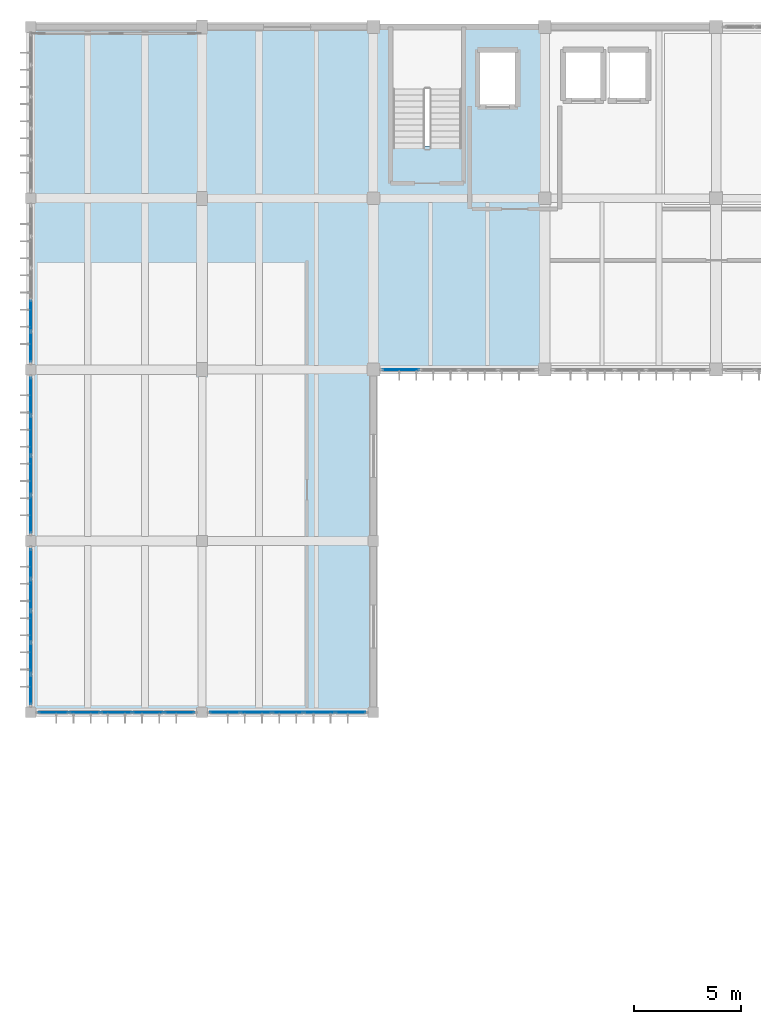
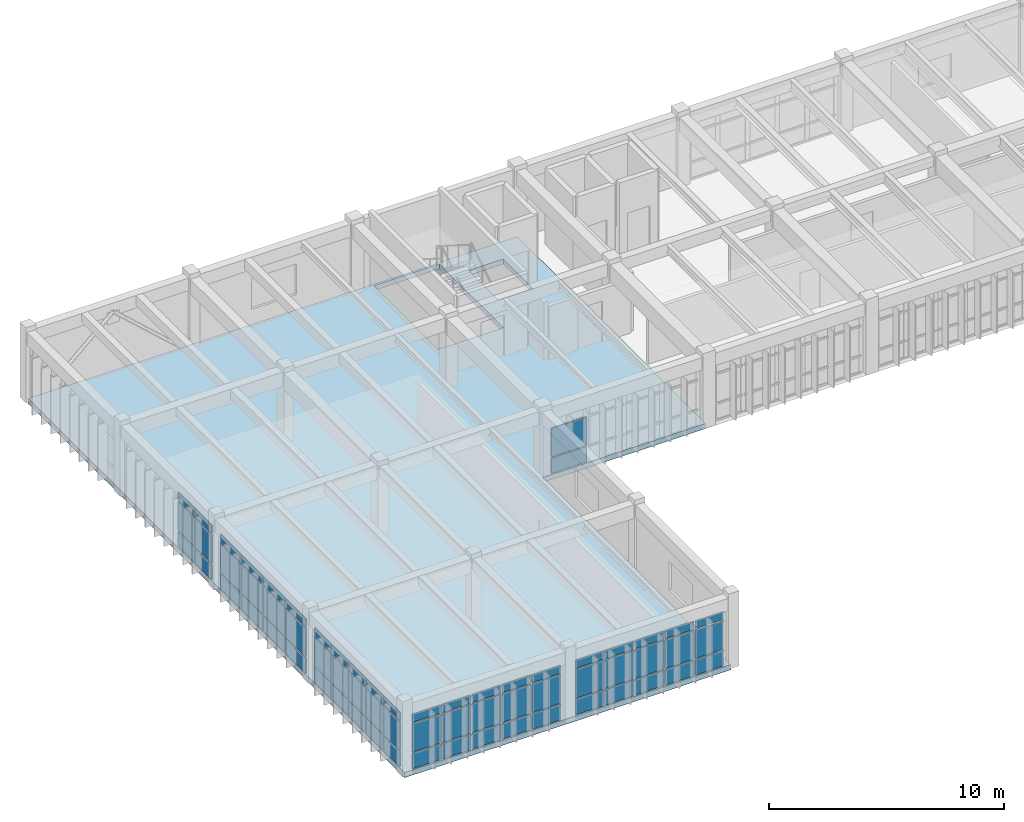
# One storey, part 11 of 22: 65 plates, 1 slab, 6 elements without a shape of their own.
"""IFC4 building model written with IfcOpenShell, lengths in metres."""

from ifc_helpers import new_model, si_unit, direction, frame, origin, origin_2d, place, context, subcontext, project, spatial, polyline, rectangle, outline, extrude, material, layer, layer_set, type_object, element, aggregate, save


model = new_model("IFC4")

# Units and contexts
model_context = context("Model", 3, precision=1e-05, world=origin(), true_north=direction((0.0, 1.0)))
body_context = subcontext(model_context, "Body", "Model", "MODEL_VIEW")
ifc_project = project(units=[si_unit("LENGTHUNIT", "METRE"), si_unit("AREAUNIT", "SQUARE_METRE"), si_unit("VOLUMEUNIT", "CUBIC_METRE"), si_unit("PLANEANGLEUNIT", "RADIAN"), si_unit("MASSUNIT", "GRAM", prefix="KILO")], contexts=[model_context])

# Site, building, storey
site_placement = place(None, origin())
site = spatial("IfcSite", under=ifc_project, at=site_placement, CompositionType="ELEMENT")
building_placement = place(site_placement, origin())
building = spatial("IfcBuilding", under=site, at=building_placement, Name="Tlaxcora Railside Police Headquarters", CompositionType="ELEMENT")
storey_placement = place(building_placement, frame((0.0, 0.0, 21.89990234375)))
storey = spatial("IfcBuildingStorey", under=building, at=storey_placement, Name="L05", CompositionType="ELEMENT", Elevation=21.89990234375)

# Curtain wall, plates
ifc_material_1 = material(Name="Thermally broken low-E insulated glazing", Category="glass")
curtain_wall_type_1 = type_object("IfcCurtainWallType", Name="Unitised Curtain Wall Assembly CW-23", PredefinedType="NOTDEFINED", material=ifc_material_1)
curtain_wall_1_placement = place(storey_placement, origin())
curtain_wall_1 = element("IfcCurtainWall", 1, at=curtain_wall_1_placement, inside=storey, type_object=curtain_wall_type_1, Name="V5 L05 curtain wall 120", PredefinedType="NOTDEFINED")
ifc_layer_1 = layer(ifc_material_1, 0.0400390625, Name="Thermally broken low-E insulated glazing")
ifc_layer_set_1 = layer_set([ifc_layer_1], Name="Thermally broken low-E insulated glazing")
plate_type_1 = type_object("IfcPlateType", Name="Curtain Wall Infill Panel CW-17", PredefinedType="CURTAIN_PANEL", material=ifc_layer_set_1)
plate_1_placement = place(storey_placement, frame((5.199951171875, 67.739990234375, 0.080078125), z_axis=(0.0, 0.0, 1.0), x_axis=(0.0, -1.0, 0.0)))
plate_1 = element("IfcPlate", 2, at=plate_1_placement, type_object=plate_type_1, Name="CW panel 1.1", PredefinedType="CURTAIN_PANEL", context=body_context, shape_type="SweptSolid", body=[
    extrude(rectangle(XDim=1.360107421875, YDim=0.0400390625, at=origin_2d()), origin(), (0.0, 0.0, 1.0), 0.780029296875),
])
plate_2_placement = place(storey_placement, frame((5.199951171875, 67.739990234375, 0.93994140625), z_axis=(0.0, 0.0, 1.0), x_axis=(0.0, -1.0, 0.0)))
plate_2 = element("IfcPlate", 3, at=plate_2_placement, type_object=plate_type_1, Name="CW panel 1.2", PredefinedType="CURTAIN_PANEL", context=body_context, shape_type="SweptSolid", body=[
    extrude(rectangle(XDim=1.360107421875, YDim=0.0400390625, at=origin_2d()), origin(), (0.0, 0.0, 1.0), 1.469970703125),
])
plate_3_placement = place(storey_placement, frame((5.199951171875, 67.739990234375, 2.490234375), z_axis=(0.0, 0.0, 1.0), x_axis=(0.0, -1.0, 0.0)))
plate_3 = element("IfcPlate", 4, at=plate_3_placement, type_object=plate_type_1, Name="CW panel 1.3", PredefinedType="CURTAIN_PANEL", context=body_context, shape_type="SweptSolid", body=[
    extrude(rectangle(XDim=1.360107421875, YDim=0.0400390625, at=origin_2d()), origin(), (0.0, 0.0, 1.0), 0.409912109375),
])
plate_4_placement = place(storey_placement, frame((5.199951171875, 66.280029296875, 0.080078125), z_axis=(0.0, 0.0, 1.0), x_axis=(0.0, -1.0, 0.0)))
plate_4 = element("IfcPlate", 5, at=plate_4_placement, type_object=plate_type_1, Name="CW panel 2.1", PredefinedType="CURTAIN_PANEL", context=body_context, shape_type="SweptSolid", body=[
    extrude(rectangle(XDim=1.39990234375, YDim=0.0400390625, at=origin_2d()), origin(), (0.0, 0.0, 1.0), 0.780029296875),
])
plate_5_placement = place(storey_placement, frame((5.199951171875, 66.280029296875, 0.93994140625), z_axis=(0.0, 0.0, 1.0), x_axis=(0.0, -1.0, 0.0)))
plate_5 = element("IfcPlate", 6, at=plate_5_placement, type_object=plate_type_1, Name="CW panel 2.2", PredefinedType="CURTAIN_PANEL", context=body_context, shape_type="SweptSolid", body=[
    extrude(rectangle(XDim=1.39990234375, YDim=0.0400390625, at=origin_2d()), origin(), (0.0, 0.0, 1.0), 1.469970703125),
])
plate_6_placement = place(storey_placement, frame((5.199951171875, 66.280029296875, 2.490234375), z_axis=(0.0, 0.0, 1.0), x_axis=(0.0, -1.0, 0.0)))
plate_6 = element("IfcPlate", 7, at=plate_6_placement, type_object=plate_type_1, Name="CW panel 2.3", PredefinedType="CURTAIN_PANEL", context=body_context, shape_type="SweptSolid", body=[
    extrude(rectangle(XDim=1.39990234375, YDim=0.0400390625, at=origin_2d()), origin(), (0.0, 0.0, 1.0), 0.409912109375),
])
plate_7_placement = place(storey_placement, frame((5.199951171875, 64.800048828125, 0.080078125), z_axis=(0.0, 0.0, 1.0), x_axis=(0.0, -1.0, 0.0)))
plate_7 = element("IfcPlate", 8, at=plate_7_placement, type_object=plate_type_1, Name="CW panel 3.1", PredefinedType="CURTAIN_PANEL", context=body_context, shape_type="SweptSolid", body=[
    extrude(rectangle(XDim=1.39990234375, YDim=0.0400390625, at=origin_2d()), origin(), (0.0, 0.0, 1.0), 0.780029296875),
])
plate_8_placement = place(storey_placement, frame((5.199951171875, 64.800048828125, 0.93994140625), z_axis=(0.0, 0.0, 1.0), x_axis=(0.0, -1.0, 0.0)))
plate_8 = element("IfcPlate", 9, at=plate_8_placement, type_object=plate_type_1, Name="CW panel 3.2", PredefinedType="CURTAIN_PANEL", context=body_context, shape_type="SweptSolid", body=[
    extrude(rectangle(XDim=1.39990234375, YDim=0.0400390625, at=origin_2d()), origin(), (0.0, 0.0, 1.0), 1.469970703125),
])
plate_9_placement = place(storey_placement, frame((5.199951171875, 64.800048828125, 2.490234375), z_axis=(0.0, 0.0, 1.0), x_axis=(0.0, -1.0, 0.0)))
plate_9 = element("IfcPlate", 10, at=plate_9_placement, type_object=plate_type_1, Name="CW panel 3.3", PredefinedType="CURTAIN_PANEL", context=body_context, shape_type="SweptSolid", body=[
    extrude(rectangle(XDim=1.39990234375, YDim=0.0400390625, at=origin_2d()), origin(), (0.0, 0.0, 1.0), 0.409912109375),
])
plate_10_placement = place(storey_placement, frame((5.199951171875, 63.320068359375, 0.080078125), z_axis=(0.0, 0.0, 1.0), x_axis=(0.0, -1.0, 0.0)))
plate_10 = element("IfcPlate", 11, at=plate_10_placement, type_object=plate_type_1, Name="CW panel 4.1", PredefinedType="CURTAIN_PANEL", context=body_context, shape_type="SweptSolid", body=[
    extrude(rectangle(XDim=1.39990234375, YDim=0.0400390625, at=origin_2d()), origin(), (0.0, 0.0, 1.0), 0.780029296875),
])
plate_11_placement = place(storey_placement, frame((5.199951171875, 63.320068359375, 0.93994140625), z_axis=(0.0, 0.0, 1.0), x_axis=(0.0, -1.0, 0.0)))
plate_11 = element("IfcPlate", 12, at=plate_11_placement, type_object=plate_type_1, Name="CW panel 4.2", PredefinedType="CURTAIN_PANEL", context=body_context, shape_type="SweptSolid", body=[
    extrude(rectangle(XDim=1.39990234375, YDim=0.0400390625, at=origin_2d()), origin(), (0.0, 0.0, 1.0), 1.469970703125),
])
plate_12_placement = place(storey_placement, frame((5.199951171875, 63.320068359375, 2.490234375), z_axis=(0.0, 0.0, 1.0), x_axis=(0.0, -1.0, 0.0)))
plate_12 = element("IfcPlate", 13, at=plate_12_placement, type_object=plate_type_1, Name="CW panel 4.3", PredefinedType="CURTAIN_PANEL", context=body_context, shape_type="SweptSolid", body=[
    extrude(rectangle(XDim=1.39990234375, YDim=0.0400390625, at=origin_2d()), origin(), (0.0, 0.0, 1.0), 0.409912109375),
])
plate_13_placement = place(storey_placement, frame((5.199951171875, 61.860107421875, 0.080078125), z_axis=(0.0, 0.0, 1.0), x_axis=(0.0, -1.0, 0.0)))
plate_13 = element("IfcPlate", 14, at=plate_13_placement, type_object=plate_type_1, Name="CW panel 5.1", PredefinedType="CURTAIN_PANEL", context=body_context, shape_type="SweptSolid", body=[
    extrude(rectangle(XDim=1.360107421875, YDim=0.0400390625, at=origin_2d()), origin(), (0.0, 0.0, 1.0), 0.780029296875),
])
plate_14_placement = place(storey_placement, frame((5.199951171875, 61.860107421875, 0.93994140625), z_axis=(0.0, 0.0, 1.0), x_axis=(0.0, -1.0, 0.0)))
plate_14 = element("IfcPlate", 15, at=plate_14_placement, type_object=plate_type_1, Name="CW panel 5.2", PredefinedType="CURTAIN_PANEL", context=body_context, shape_type="SweptSolid", body=[
    extrude(rectangle(XDim=1.360107421875, YDim=0.0400390625, at=origin_2d()), origin(), (0.0, 0.0, 1.0), 1.469970703125),
])
plate_15_placement = place(storey_placement, frame((5.199951171875, 61.860107421875, 2.490234375), z_axis=(0.0, 0.0, 1.0), x_axis=(0.0, -1.0, 0.0)))
plate_15 = element("IfcPlate", 16, at=plate_15_placement, type_object=plate_type_1, Name="CW panel 5.3", PredefinedType="CURTAIN_PANEL", context=body_context, shape_type="SweptSolid", body=[
    extrude(rectangle(XDim=1.360107421875, YDim=0.0400390625, at=origin_2d()), origin(), (0.0, 0.0, 1.0), 0.409912109375),
])
aggregate(curtain_wall_1, [plate_1, plate_2, plate_3, plate_4, plate_5, plate_6, plate_7, plate_8, plate_9, plate_10, plate_11, plate_12, plate_13, plate_14, plate_15])

curtain_wall_type_2 = type_object("IfcCurtainWallType", Name="Unitised Curtain Wall Assembly CW-15", PredefinedType="NOTDEFINED", material=ifc_material_1)
curtain_wall_2_placement = place(storey_placement, origin())
curtain_wall_2 = element("IfcCurtainWall", 17, at=curtain_wall_2_placement, inside=storey, type_object=curtain_wall_type_2, Name="V5 L05 curtain wall 106", PredefinedType="NOTDEFINED")
ifc_layer_2 = layer(ifc_material_1, 0.031982421875, Name="Thermally broken low-E insulated glazing")
ifc_layer_set_2 = layer_set([ifc_layer_2], Name="Thermally broken low-E insulated glazing")
plate_type_2 = type_object("IfcPlateType", Name="Curtain Wall Infill Panel CW-41", PredefinedType="CURTAIN_PANEL", material=ifc_layer_set_2)
plate_16_placement = place(storey_placement, frame((14.2587890625, 60.800048828125, 0.074951171875), z_axis=(0.0, 0.0, 1.0), x_axis=(1.0, 0.0, 0.0)))
plate_16 = element("IfcPlate", 18, at=plate_16_placement, type_object=plate_type_2, Name="CW panel 1.1", PredefinedType="CURTAIN_PANEL", context=body_context, shape_type="SweptSolid", body=[
    extrude(rectangle(XDim=1.367431640625, YDim=0.031982421875, at=origin_2d()), origin(), (0.0, 0.0, 1.0), 0.78759765625),
])
plate_17_placement = place(storey_placement, frame((14.2587890625, 60.800048828125, 0.9375), z_axis=(0.0, 0.0, 1.0), x_axis=(1.0, 0.0, 0.0)))
plate_17 = element("IfcPlate", 19, at=plate_17_placement, type_object=plate_type_2, Name="CW panel 1.2", PredefinedType="CURTAIN_PANEL", context=body_context, shape_type="SweptSolid", body=[
    extrude(rectangle(XDim=1.367431640625, YDim=0.031982421875, at=origin_2d()), origin(), (0.0, 0.0, 1.0), 1.47509765625),
])
plate_18_placement = place(storey_placement, frame((14.2587890625, 60.800048828125, 2.487548828125), z_axis=(0.0, 0.0, 1.0), x_axis=(1.0, 0.0, 0.0)))
plate_18 = element("IfcPlate", 20, at=plate_18_placement, type_object=plate_type_2, Name="CW panel 1.3", PredefinedType="CURTAIN_PANEL", context=body_context, shape_type="SweptSolid", body=[
    extrude(rectangle(XDim=1.367431640625, YDim=0.031982421875, at=origin_2d()), origin(), (0.0, 0.0, 1.0), 0.41748046875),
])
plate_19_placement = place(storey_placement, frame((15.719970703125, 60.800048828125, 0.074951171875), z_axis=(0.0, 0.0, 1.0), x_axis=(1.0, 0.0, 0.0)))
plate_19 = element("IfcPlate", 21, at=plate_19_placement, type_object=plate_type_2, Name="CW panel 2.1", PredefinedType="CURTAIN_PANEL", context=body_context, shape_type="SweptSolid", body=[
    extrude(rectangle(XDim=1.405029296875, YDim=0.031982421875, at=origin_2d()), origin(), (0.0, 0.0, 1.0), 0.78759765625),
])
plate_20_placement = place(storey_placement, frame((15.719970703125, 60.800048828125, 0.9375), z_axis=(0.0, 0.0, 1.0), x_axis=(1.0, 0.0, 0.0)))
plate_20 = element("IfcPlate", 22, at=plate_20_placement, type_object=plate_type_2, Name="CW panel 2.2", PredefinedType="CURTAIN_PANEL", context=body_context, shape_type="SweptSolid", body=[
    extrude(rectangle(XDim=1.405029296875, YDim=0.031982421875, at=origin_2d()), origin(), (0.0, 0.0, 1.0), 1.47509765625),
])
plate_21_placement = place(storey_placement, frame((15.719970703125, 60.800048828125, 2.487548828125), z_axis=(0.0, 0.0, 1.0), x_axis=(1.0, 0.0, 0.0)))
plate_21 = element("IfcPlate", 23, at=plate_21_placement, type_object=plate_type_2, Name="CW panel 2.3", PredefinedType="CURTAIN_PANEL", context=body_context, shape_type="SweptSolid", body=[
    extrude(rectangle(XDim=1.405029296875, YDim=0.031982421875, at=origin_2d()), origin(), (0.0, 0.0, 1.0), 0.41748046875),
])
plate_22_placement = place(storey_placement, frame((17.199951171875, 60.800048828125, 0.074951171875), z_axis=(0.0, 0.0, 1.0), x_axis=(1.0, 0.0, 0.0)))
plate_22 = element("IfcPlate", 24, at=plate_22_placement, type_object=plate_type_2, Name="CW panel 3.1", PredefinedType="CURTAIN_PANEL", context=body_context, shape_type="SweptSolid", body=[
    extrude(rectangle(XDim=1.405029296875, YDim=0.031982421875, at=origin_2d()), origin(), (0.0, 0.0, 1.0), 0.78759765625),
])
plate_23_placement = place(storey_placement, frame((17.199951171875, 60.800048828125, 0.9375), z_axis=(0.0, 0.0, 1.0), x_axis=(1.0, 0.0, 0.0)))
plate_23 = element("IfcPlate", 25, at=plate_23_placement, type_object=plate_type_2, Name="CW panel 3.2", PredefinedType="CURTAIN_PANEL", context=body_context, shape_type="SweptSolid", body=[
    extrude(rectangle(XDim=1.405029296875, YDim=0.031982421875, at=origin_2d()), origin(), (0.0, 0.0, 1.0), 1.47509765625),
])
plate_24_placement = place(storey_placement, frame((17.199951171875, 60.800048828125, 2.487548828125), z_axis=(0.0, 0.0, 1.0), x_axis=(1.0, 0.0, 0.0)))
plate_24 = element("IfcPlate", 26, at=plate_24_placement, type_object=plate_type_2, Name="CW panel 3.3", PredefinedType="CURTAIN_PANEL", context=body_context, shape_type="SweptSolid", body=[
    extrude(rectangle(XDim=1.405029296875, YDim=0.031982421875, at=origin_2d()), origin(), (0.0, 0.0, 1.0), 0.41748046875),
])
plate_25_placement = place(storey_placement, frame((18.679931640625, 60.800048828125, 0.074951171875), z_axis=(0.0, 0.0, 1.0), x_axis=(1.0, 0.0, 0.0)))
plate_25 = element("IfcPlate", 27, at=plate_25_placement, type_object=plate_type_2, Name="CW panel 4.1", PredefinedType="CURTAIN_PANEL", context=body_context, shape_type="SweptSolid", body=[
    extrude(rectangle(XDim=1.405029296875, YDim=0.031982421875, at=origin_2d()), origin(), (0.0, 0.0, 1.0), 0.78759765625),
])
plate_26_placement = place(storey_placement, frame((18.679931640625, 60.800048828125, 0.9375), z_axis=(0.0, 0.0, 1.0), x_axis=(1.0, 0.0, 0.0)))
plate_26 = element("IfcPlate", 28, at=plate_26_placement, type_object=plate_type_2, Name="CW panel 4.2", PredefinedType="CURTAIN_PANEL", context=body_context, shape_type="SweptSolid", body=[
    extrude(rectangle(XDim=1.405029296875, YDim=0.031982421875, at=origin_2d()), origin(), (0.0, 0.0, 1.0), 1.47509765625),
])
plate_27_placement = place(storey_placement, frame((18.679931640625, 60.800048828125, 2.487548828125), z_axis=(0.0, 0.0, 1.0), x_axis=(1.0, 0.0, 0.0)))
plate_27 = element("IfcPlate", 29, at=plate_27_placement, type_object=plate_type_2, Name="CW panel 4.3", PredefinedType="CURTAIN_PANEL", context=body_context, shape_type="SweptSolid", body=[
    extrude(rectangle(XDim=1.405029296875, YDim=0.031982421875, at=origin_2d()), origin(), (0.0, 0.0, 1.0), 0.41748046875),
])
plate_28_placement = place(storey_placement, frame((20.141357421875, 60.800048828125, 0.074951171875), z_axis=(0.0, 0.0, 1.0), x_axis=(1.0, 0.0, 0.0)))
plate_28 = element("IfcPlate", 30, at=plate_28_placement, type_object=plate_type_2, Name="CW panel 5.1", PredefinedType="CURTAIN_PANEL", context=body_context, shape_type="SweptSolid", body=[
    extrude(rectangle(XDim=1.367431640625, YDim=0.031982421875, at=origin_2d()), origin(), (0.0, 0.0, 1.0), 0.78759765625),
])
plate_29_placement = place(storey_placement, frame((20.141357421875, 60.800048828125, 0.9375), z_axis=(0.0, 0.0, 1.0), x_axis=(1.0, 0.0, 0.0)))
plate_29 = element("IfcPlate", 31, at=plate_29_placement, type_object=plate_type_2, Name="CW panel 5.2", PredefinedType="CURTAIN_PANEL", context=body_context, shape_type="SweptSolid", body=[
    extrude(rectangle(XDim=1.367431640625, YDim=0.031982421875, at=origin_2d()), origin(), (0.0, 0.0, 1.0), 1.47509765625),
])
plate_30_placement = place(storey_placement, frame((20.141357421875, 60.800048828125, 2.487548828125), z_axis=(0.0, 0.0, 1.0), x_axis=(1.0, 0.0, 0.0)))
plate_30 = element("IfcPlate", 32, at=plate_30_placement, type_object=plate_type_2, Name="CW panel 5.3", PredefinedType="CURTAIN_PANEL", context=body_context, shape_type="SweptSolid", body=[
    extrude(rectangle(XDim=1.367431640625, YDim=0.031982421875, at=origin_2d()), origin(), (0.0, 0.0, 1.0), 0.41748046875),
])
aggregate(curtain_wall_2, [plate_16, plate_17, plate_18, plate_19, plate_20, plate_21, plate_22, plate_23, plate_24, plate_25, plate_26, plate_27, plate_28, plate_29, plate_30])

curtain_wall_3_placement = place(storey_placement, origin())
curtain_wall_3 = element("IfcCurtainWall", 33, at=curtain_wall_3_placement, inside=storey, type_object=curtain_wall_type_2, Name="V5 L05 curtain wall 118", PredefinedType="NOTDEFINED")
plate_31_placement = place(storey_placement, frame((5.199951171875, 79.320068359375, 0.074951171875), z_axis=(0.0, 0.0, 1.0), x_axis=(0.0, -1.0, 0.0)))
plate_31 = element("IfcPlate", 34, at=plate_31_placement, type_object=plate_type_2, Name="CW panel 4.1", PredefinedType="CURTAIN_PANEL", context=body_context, shape_type="SweptSolid", body=[
    extrude(rectangle(XDim=1.405029296875, YDim=0.031982421875, at=origin_2d()), origin(), (0.0, 0.0, 1.0), 0.78759765625),
])
plate_32_placement = place(storey_placement, frame((5.199951171875, 79.320068359375, 0.9375), z_axis=(0.0, 0.0, 1.0), x_axis=(0.0, -1.0, 0.0)))
plate_32 = element("IfcPlate", 35, at=plate_32_placement, type_object=plate_type_2, Name="CW panel 4.2", PredefinedType="CURTAIN_PANEL", context=body_context, shape_type="SweptSolid", body=[
    extrude(rectangle(XDim=1.405029296875, YDim=0.031982421875, at=origin_2d()), origin(), (0.0, 0.0, 1.0), 1.47509765625),
])
plate_33_placement = place(storey_placement, frame((5.199951171875, 79.320068359375, 2.487548828125), z_axis=(0.0, 0.0, 1.0), x_axis=(0.0, -1.0, 0.0)))
plate_33 = element("IfcPlate", 36, at=plate_33_placement, type_object=plate_type_2, Name="CW panel 4.3", PredefinedType="CURTAIN_PANEL", context=body_context, shape_type="SweptSolid", body=[
    extrude(rectangle(XDim=1.405029296875, YDim=0.031982421875, at=origin_2d()), origin(), (0.0, 0.0, 1.0), 0.41748046875),
])
plate_34_placement = place(storey_placement, frame((5.199951171875, 77.858642578125, 0.074951171875), z_axis=(0.0, 0.0, 1.0), x_axis=(0.0, -1.0, 0.0)))
plate_34 = element("IfcPlate", 37, at=plate_34_placement, type_object=plate_type_2, Name="CW panel 5.1", PredefinedType="CURTAIN_PANEL", context=body_context, shape_type="SweptSolid", body=[
    extrude(rectangle(XDim=1.367431640625, YDim=0.031982421875, at=origin_2d()), origin(), (0.0, 0.0, 1.0), 0.78759765625),
])
plate_35_placement = place(storey_placement, frame((5.199951171875, 77.858642578125, 0.9375), z_axis=(0.0, 0.0, 1.0), x_axis=(0.0, -1.0, 0.0)))
plate_35 = element("IfcPlate", 38, at=plate_35_placement, type_object=plate_type_2, Name="CW panel 5.2", PredefinedType="CURTAIN_PANEL", context=body_context, shape_type="SweptSolid", body=[
    extrude(rectangle(XDim=1.367431640625, YDim=0.031982421875, at=origin_2d()), origin(), (0.0, 0.0, 1.0), 1.47509765625),
])
plate_36_placement = place(storey_placement, frame((5.199951171875, 77.858642578125, 2.487548828125), z_axis=(0.0, 0.0, 1.0), x_axis=(0.0, -1.0, 0.0)))
plate_36 = element("IfcPlate", 39, at=plate_36_placement, type_object=plate_type_2, Name="CW panel 5.3", PredefinedType="CURTAIN_PANEL", context=body_context, shape_type="SweptSolid", body=[
    extrude(rectangle(XDim=1.367431640625, YDim=0.031982421875, at=origin_2d()), origin(), (0.0, 0.0, 1.0), 0.41748046875),
])
aggregate(curtain_wall_3, [plate_31, plate_32, plate_33, plate_34, plate_35, plate_36])

curtain_wall_type_3 = type_object("IfcCurtainWallType", Name="Unitised Curtain Wall Assembly CW-83", PredefinedType="NOTDEFINED", material=ifc_material_1)
curtain_wall_4_placement = place(storey_placement, origin())
curtain_wall_4 = element("IfcCurtainWall", 40, at=curtain_wall_4_placement, inside=storey, type_object=curtain_wall_type_3, Name="V5 L05 curtain wall 107", PredefinedType="NOTDEFINED")
ifc_layer_3 = layer(ifc_material_1, 0.035888671875, Name="Thermally broken low-E insulated glazing")
ifc_layer_set_3 = layer_set([ifc_layer_3], Name="Thermally broken low-E insulated glazing")
plate_type_3 = type_object("IfcPlateType", Name="Curtain Wall Infill Panel CW-72", PredefinedType="CURTAIN_PANEL", material=ifc_layer_set_3)
plate_37_placement = place(storey_placement, frame((22.482421875, 76.800048828125, 0.080078125), z_axis=(0.0, 0.0, 1.0), x_axis=(1.0, 0.0, 0.0)))
plate_37 = element("IfcPlate", 41, at=plate_37_placement, type_object=plate_type_3, Name="CW panel 1.1", PredefinedType="CURTAIN_PANEL", context=body_context, shape_type="SweptSolid", body=[
    extrude(rectangle(XDim=1.705078125, YDim=0.035888671875, at=origin_2d()), origin(), (0.0, 0.0, 1.0), 0.780029296875),
])
plate_38_placement = place(storey_placement, frame((22.482421875, 76.800048828125, 0.93994140625), z_axis=(0.0, 0.0, 1.0), x_axis=(1.0, 0.0, 0.0)))
plate_38 = element("IfcPlate", 42, at=plate_38_placement, type_object=plate_type_3, Name="CW panel 1.2", PredefinedType="CURTAIN_PANEL", context=body_context, shape_type="SweptSolid", body=[
    extrude(rectangle(XDim=1.705078125, YDim=0.035888671875, at=origin_2d()), origin(), (0.0, 0.0, 1.0), 1.469970703125),
])
aggregate(curtain_wall_4, [plate_37, plate_38])

curtain_wall_5_placement = place(storey_placement, origin())
curtain_wall_5 = element("IfcCurtainWall", 43, at=curtain_wall_5_placement, inside=storey, type_object=curtain_wall_type_3, Name="V5 L05 curtain wall 119", PredefinedType="NOTDEFINED")
plate_39_placement = place(storey_placement, frame((5.199951171875, 75.554931640625, 0.080078125), z_axis=(0.0, 0.0, 1.0), x_axis=(0.0, -1.0, 0.0)))
plate_39 = element("IfcPlate", 44, at=plate_39_placement, type_object=plate_type_3, Name="CW panel 1.1", PredefinedType="CURTAIN_PANEL", context=body_context, shape_type="SweptSolid", body=[
    extrude(rectangle(XDim=1.72998046875, YDim=0.035888671875, at=origin_2d()), origin(), (0.0, 0.0, 1.0), 0.780029296875),
])
plate_40_placement = place(storey_placement, frame((5.199951171875, 75.554931640625, 0.93994140625), z_axis=(0.0, 0.0, 1.0), x_axis=(0.0, -1.0, 0.0)))
plate_40 = element("IfcPlate", 45, at=plate_40_placement, type_object=plate_type_3, Name="CW panel 1.2", PredefinedType="CURTAIN_PANEL", context=body_context, shape_type="SweptSolid", body=[
    extrude(rectangle(XDim=1.72998046875, YDim=0.035888671875, at=origin_2d()), origin(), (0.0, 0.0, 1.0), 1.469970703125),
])
plate_41_placement = place(storey_placement, frame((5.199951171875, 75.554931640625, 2.490234375), z_axis=(0.0, 0.0, 1.0), x_axis=(0.0, -1.0, 0.0)))
plate_41 = element("IfcPlate", 46, at=plate_41_placement, type_object=plate_type_3, Name="CW panel 1.3", PredefinedType="CURTAIN_PANEL", context=body_context, shape_type="SweptSolid", body=[
    extrude(rectangle(XDim=1.72998046875, YDim=0.035888671875, at=origin_2d()), origin(), (0.0, 0.0, 1.0), 0.409912109375),
])
plate_42_placement = place(storey_placement, frame((5.199951171875, 73.72509765625, 0.080078125), z_axis=(0.0, 0.0, 1.0), x_axis=(0.0, -1.0, 0.0)))
plate_42 = element("IfcPlate", 47, at=plate_42_placement, type_object=plate_type_3, Name="CW panel 2.1", PredefinedType="CURTAIN_PANEL", context=body_context, shape_type="SweptSolid", body=[
    extrude(rectangle(XDim=1.77001953125, YDim=0.035888671875, at=origin_2d()), origin(), (0.0, 0.0, 1.0), 0.780029296875),
])
plate_43_placement = place(storey_placement, frame((5.199951171875, 73.72509765625, 0.93994140625), z_axis=(0.0, 0.0, 1.0), x_axis=(0.0, -1.0, 0.0)))
plate_43 = element("IfcPlate", 48, at=plate_43_placement, type_object=plate_type_3, Name="CW panel 2.2", PredefinedType="CURTAIN_PANEL", context=body_context, shape_type="SweptSolid", body=[
    extrude(rectangle(XDim=1.77001953125, YDim=0.035888671875, at=origin_2d()), origin(), (0.0, 0.0, 1.0), 1.469970703125),
])
plate_44_placement = place(storey_placement, frame((5.199951171875, 73.72509765625, 2.490234375), z_axis=(0.0, 0.0, 1.0), x_axis=(0.0, -1.0, 0.0)))
plate_44 = element("IfcPlate", 49, at=plate_44_placement, type_object=plate_type_3, Name="CW panel 2.3", PredefinedType="CURTAIN_PANEL", context=body_context, shape_type="SweptSolid", body=[
    extrude(rectangle(XDim=1.77001953125, YDim=0.035888671875, at=origin_2d()), origin(), (0.0, 0.0, 1.0), 0.409912109375),
])
plate_45_placement = place(storey_placement, frame((5.199951171875, 71.875, 0.080078125), z_axis=(0.0, 0.0, 1.0), x_axis=(0.0, -1.0, 0.0)))
plate_45 = element("IfcPlate", 50, at=plate_45_placement, type_object=plate_type_3, Name="CW panel 3.1", PredefinedType="CURTAIN_PANEL", context=body_context, shape_type="SweptSolid", body=[
    extrude(rectangle(XDim=1.77001953125, YDim=0.035888671875, at=origin_2d()), origin(), (0.0, 0.0, 1.0), 0.780029296875),
])
plate_46_placement = place(storey_placement, frame((5.199951171875, 71.875, 0.93994140625), z_axis=(0.0, 0.0, 1.0), x_axis=(0.0, -1.0, 0.0)))
plate_46 = element("IfcPlate", 51, at=plate_46_placement, type_object=plate_type_3, Name="CW panel 3.2", PredefinedType="CURTAIN_PANEL", context=body_context, shape_type="SweptSolid", body=[
    extrude(rectangle(XDim=1.77001953125, YDim=0.035888671875, at=origin_2d()), origin(), (0.0, 0.0, 1.0), 1.469970703125),
])
plate_47_placement = place(storey_placement, frame((5.199951171875, 71.875, 2.490234375), z_axis=(0.0, 0.0, 1.0), x_axis=(0.0, -1.0, 0.0)))
plate_47 = element("IfcPlate", 52, at=plate_47_placement, type_object=plate_type_3, Name="CW panel 3.3", PredefinedType="CURTAIN_PANEL", context=body_context, shape_type="SweptSolid", body=[
    extrude(rectangle(XDim=1.77001953125, YDim=0.035888671875, at=origin_2d()), origin(), (0.0, 0.0, 1.0), 0.409912109375),
])
plate_48_placement = place(storey_placement, frame((5.199951171875, 70.044921875, 0.080078125), z_axis=(0.0, 0.0, 1.0), x_axis=(0.0, -1.0, 0.0)))
plate_48 = element("IfcPlate", 53, at=plate_48_placement, type_object=plate_type_3, Name="CW panel 4.1", PredefinedType="CURTAIN_PANEL", context=body_context, shape_type="SweptSolid", body=[
    extrude(rectangle(XDim=1.72998046875, YDim=0.035888671875, at=origin_2d()), origin(), (0.0, 0.0, 1.0), 0.780029296875),
])
plate_49_placement = place(storey_placement, frame((5.199951171875, 70.044921875, 0.93994140625), z_axis=(0.0, 0.0, 1.0), x_axis=(0.0, -1.0, 0.0)))
plate_49 = element("IfcPlate", 54, at=plate_49_placement, type_object=plate_type_3, Name="CW panel 4.2", PredefinedType="CURTAIN_PANEL", context=body_context, shape_type="SweptSolid", body=[
    extrude(rectangle(XDim=1.72998046875, YDim=0.035888671875, at=origin_2d()), origin(), (0.0, 0.0, 1.0), 1.469970703125),
])
plate_50_placement = place(storey_placement, frame((5.199951171875, 70.044921875, 2.490234375), z_axis=(0.0, 0.0, 1.0), x_axis=(0.0, -1.0, 0.0)))
plate_50 = element("IfcPlate", 55, at=plate_50_placement, type_object=plate_type_3, Name="CW panel 4.3", PredefinedType="CURTAIN_PANEL", context=body_context, shape_type="SweptSolid", body=[
    extrude(rectangle(XDim=1.72998046875, YDim=0.035888671875, at=origin_2d()), origin(), (0.0, 0.0, 1.0), 0.409912109375),
])
aggregate(curtain_wall_5, [plate_39, plate_40, plate_41, plate_42, plate_43, plate_44, plate_45, plate_46, plate_47, plate_48, plate_49, plate_50])

curtain_wall_type_4 = type_object("IfcCurtainWallType", Name="Unitised Curtain Wall Assembly CW-38", PredefinedType="NOTDEFINED", material=ifc_material_1)
curtain_wall_6_placement = place(storey_placement, origin())
curtain_wall_6 = element("IfcCurtainWall", 56, at=curtain_wall_6_placement, inside=storey, type_object=curtain_wall_type_4, Name="V5 L05 curtain wall 105", PredefinedType="NOTDEFINED")
ifc_layer_4 = layer(ifc_material_1, 0.028076171875, Name="Thermally broken low-E insulated glazing")
ifc_layer_set_4 = layer_set([ifc_layer_4], Name="Thermally broken low-E insulated glazing")
plate_type_4 = type_object("IfcPlateType", Name="Curtain Wall Infill Panel CW-92", PredefinedType="CURTAIN_PANEL", material=ifc_layer_set_4)
plate_51_placement = place(storey_placement, frame((6.2587890625, 60.800048828125, 0.074951171875), z_axis=(0.0, 0.0, 1.0), x_axis=(1.0, 0.0, 0.0)))
plate_51 = element("IfcPlate", 57, at=plate_51_placement, type_object=plate_type_4, Name="CW panel 1.1", PredefinedType="CURTAIN_PANEL", context=body_context, shape_type="SweptSolid", body=[
    extrude(rectangle(XDim=1.367431640625, YDim=0.028076171875, at=origin_2d()), origin(), (0.0, 0.0, 1.0), 0.78759765625),
])
plate_52_placement = place(storey_placement, frame((6.2587890625, 60.800048828125, 0.9375), z_axis=(0.0, 0.0, 1.0), x_axis=(1.0, 0.0, 0.0)))
plate_52 = element("IfcPlate", 58, at=plate_52_placement, type_object=plate_type_4, Name="CW panel 1.2", PredefinedType="CURTAIN_PANEL", context=body_context, shape_type="SweptSolid", body=[
    extrude(rectangle(XDim=1.367431640625, YDim=0.028076171875, at=origin_2d()), origin(), (0.0, 0.0, 1.0), 1.47509765625),
])
plate_53_placement = place(storey_placement, frame((6.2587890625, 60.800048828125, 2.487548828125), z_axis=(0.0, 0.0, 1.0), x_axis=(1.0, 0.0, 0.0)))
plate_53 = element("IfcPlate", 59, at=plate_53_placement, type_object=plate_type_4, Name="CW panel 1.3", PredefinedType="CURTAIN_PANEL", context=body_context, shape_type="SweptSolid", body=[
    extrude(rectangle(XDim=1.367431640625, YDim=0.028076171875, at=origin_2d()), origin(), (0.0, 0.0, 1.0), 0.41748046875),
])
plate_54_placement = place(storey_placement, frame((7.719970703125, 60.800048828125, 0.074951171875), z_axis=(0.0, 0.0, 1.0), x_axis=(1.0, 0.0, 0.0)))
plate_54 = element("IfcPlate", 60, at=plate_54_placement, type_object=plate_type_4, Name="CW panel 2.1", PredefinedType="CURTAIN_PANEL", context=body_context, shape_type="SweptSolid", body=[
    extrude(rectangle(XDim=1.405029296875, YDim=0.028076171875, at=origin_2d()), origin(), (0.0, 0.0, 1.0), 0.78759765625),
])
plate_55_placement = place(storey_placement, frame((7.719970703125, 60.800048828125, 0.9375), z_axis=(0.0, 0.0, 1.0), x_axis=(1.0, 0.0, 0.0)))
plate_55 = element("IfcPlate", 61, at=plate_55_placement, type_object=plate_type_4, Name="CW panel 2.2", PredefinedType="CURTAIN_PANEL", context=body_context, shape_type="SweptSolid", body=[
    extrude(rectangle(XDim=1.405029296875, YDim=0.028076171875, at=origin_2d()), origin(), (0.0, 0.0, 1.0), 1.47509765625),
])
plate_56_placement = place(storey_placement, frame((7.719970703125, 60.800048828125, 2.487548828125), z_axis=(0.0, 0.0, 1.0), x_axis=(1.0, 0.0, 0.0)))
plate_56 = element("IfcPlate", 62, at=plate_56_placement, type_object=plate_type_4, Name="CW panel 2.3", PredefinedType="CURTAIN_PANEL", context=body_context, shape_type="SweptSolid", body=[
    extrude(rectangle(XDim=1.405029296875, YDim=0.028076171875, at=origin_2d()), origin(), (0.0, 0.0, 1.0), 0.41748046875),
])
plate_57_placement = place(storey_placement, frame((9.199951171875, 60.800048828125, 0.074951171875), z_axis=(0.0, 0.0, 1.0), x_axis=(1.0, 0.0, 0.0)))
plate_57 = element("IfcPlate", 63, at=plate_57_placement, type_object=plate_type_4, Name="CW panel 3.1", PredefinedType="CURTAIN_PANEL", context=body_context, shape_type="SweptSolid", body=[
    extrude(rectangle(XDim=1.405029296875, YDim=0.028076171875, at=origin_2d()), origin(), (0.0, 0.0, 1.0), 0.78759765625),
])
plate_58_placement = place(storey_placement, frame((9.199951171875, 60.800048828125, 0.9375), z_axis=(0.0, 0.0, 1.0), x_axis=(1.0, 0.0, 0.0)))
plate_58 = element("IfcPlate", 64, at=plate_58_placement, type_object=plate_type_4, Name="CW panel 3.2", PredefinedType="CURTAIN_PANEL", context=body_context, shape_type="SweptSolid", body=[
    extrude(rectangle(XDim=1.405029296875, YDim=0.028076171875, at=origin_2d()), origin(), (0.0, 0.0, 1.0), 1.47509765625),
])
plate_59_placement = place(storey_placement, frame((9.199951171875, 60.800048828125, 2.487548828125), z_axis=(0.0, 0.0, 1.0), x_axis=(1.0, 0.0, 0.0)))
plate_59 = element("IfcPlate", 65, at=plate_59_placement, type_object=plate_type_4, Name="CW panel 3.3", PredefinedType="CURTAIN_PANEL", context=body_context, shape_type="SweptSolid", body=[
    extrude(rectangle(XDim=1.405029296875, YDim=0.028076171875, at=origin_2d()), origin(), (0.0, 0.0, 1.0), 0.41748046875),
])
plate_60_placement = place(storey_placement, frame((10.679931640625, 60.800048828125, 0.074951171875), z_axis=(0.0, 0.0, 1.0), x_axis=(1.0, 0.0, 0.0)))
plate_60 = element("IfcPlate", 66, at=plate_60_placement, type_object=plate_type_4, Name="CW panel 4.1", PredefinedType="CURTAIN_PANEL", context=body_context, shape_type="SweptSolid", body=[
    extrude(rectangle(XDim=1.405029296875, YDim=0.028076171875, at=origin_2d()), origin(), (0.0, 0.0, 1.0), 0.78759765625),
])
plate_61_placement = place(storey_placement, frame((10.679931640625, 60.800048828125, 0.9375), z_axis=(0.0, 0.0, 1.0), x_axis=(1.0, 0.0, 0.0)))
plate_61 = element("IfcPlate", 67, at=plate_61_placement, type_object=plate_type_4, Name="CW panel 4.2", PredefinedType="CURTAIN_PANEL", context=body_context, shape_type="SweptSolid", body=[
    extrude(rectangle(XDim=1.405029296875, YDim=0.028076171875, at=origin_2d()), origin(), (0.0, 0.0, 1.0), 1.47509765625),
])
plate_62_placement = place(storey_placement, frame((10.679931640625, 60.800048828125, 2.487548828125), z_axis=(0.0, 0.0, 1.0), x_axis=(1.0, 0.0, 0.0)))
plate_62 = element("IfcPlate", 68, at=plate_62_placement, type_object=plate_type_4, Name="CW panel 4.3", PredefinedType="CURTAIN_PANEL", context=body_context, shape_type="SweptSolid", body=[
    extrude(rectangle(XDim=1.405029296875, YDim=0.028076171875, at=origin_2d()), origin(), (0.0, 0.0, 1.0), 0.41748046875),
])
plate_63_placement = place(storey_placement, frame((12.141357421875, 60.800048828125, 0.074951171875), z_axis=(0.0, 0.0, 1.0), x_axis=(1.0, 0.0, 0.0)))
plate_63 = element("IfcPlate", 69, at=plate_63_placement, type_object=plate_type_4, Name="CW panel 5.1", PredefinedType="CURTAIN_PANEL", context=body_context, shape_type="SweptSolid", body=[
    extrude(rectangle(XDim=1.367431640625, YDim=0.028076171875, at=origin_2d()), origin(), (0.0, 0.0, 1.0), 0.78759765625),
])
plate_64_placement = place(storey_placement, frame((12.141357421875, 60.800048828125, 0.9375), z_axis=(0.0, 0.0, 1.0), x_axis=(1.0, 0.0, 0.0)))
plate_64 = element("IfcPlate", 70, at=plate_64_placement, type_object=plate_type_4, Name="CW panel 5.2", PredefinedType="CURTAIN_PANEL", context=body_context, shape_type="SweptSolid", body=[
    extrude(rectangle(XDim=1.367431640625, YDim=0.028076171875, at=origin_2d()), origin(), (0.0, 0.0, 1.0), 1.47509765625),
])
plate_65_placement = place(storey_placement, frame((12.141357421875, 60.800048828125, 2.487548828125), z_axis=(0.0, 0.0, 1.0), x_axis=(1.0, 0.0, 0.0)))
plate_65 = element("IfcPlate", 71, at=plate_65_placement, type_object=plate_type_4, Name="CW panel 5.3", PredefinedType="CURTAIN_PANEL", context=body_context, shape_type="SweptSolid", body=[
    extrude(rectangle(XDim=1.367431640625, YDim=0.028076171875, at=origin_2d()), origin(), (0.0, 0.0, 1.0), 0.41748046875),
])
aggregate(curtain_wall_6, [plate_51, plate_52, plate_53, plate_54, plate_55, plate_56, plate_57, plate_58, plate_59, plate_60, plate_61, plate_62, plate_63, plate_64, plate_65])

# Slab
ifc_material_2 = material(Name="Concrete C35/45", Category="concrete")
ifc_layer_5 = layer(ifc_material_2, 0.260009765625, Name="Concrete C35/45")
ifc_layer_set_5 = layer_set([ifc_layer_5], Name="Concrete C35/45")
slab_type = type_object("IfcSlabType", Name="Suspended Floor Slab SL-78", PredefinedType="FLOOR", material=ifc_layer_set_5)
slab_placement = place(storey_placement, frame((0.0, 0.0, -0.260009765625)))
element("IfcSlab", 72, at=slab_placement, inside=storey, type_object=slab_type, Name="V5 L05 floor slab zone 1", PredefinedType="FLOOR", context=body_context, shape_type="SweptSolid", body=[
    extrude(outline(polyline([(21.199951171875, 76.800048828125), (29.199951171875, 76.800048828125), (29.199951171875, 92.800048828125), (5.199951171875, 92.800048828125), (5.199951171875, 60.800048828125), (21.199951171875, 60.800048828125), (21.199951171875, 76.800048828125)]), holes=[polyline([(22.110107421875, 92.68994140625), (25.31005859375, 92.68994140625), (25.31005859375, 87.25), (22.110107421875, 87.25), (22.110107421875, 92.68994140625)]), polyline([(27.85009765625, 91.64990234375), (27.85009765625, 89.14990234375), (26.14990234375, 89.14990234375), (26.14990234375, 91.64990234375), (27.85009765625, 91.64990234375)])]), origin(), (0.0, 0.0, 1.0), 0.260009765625),
])

save(model, "model.ifc")
